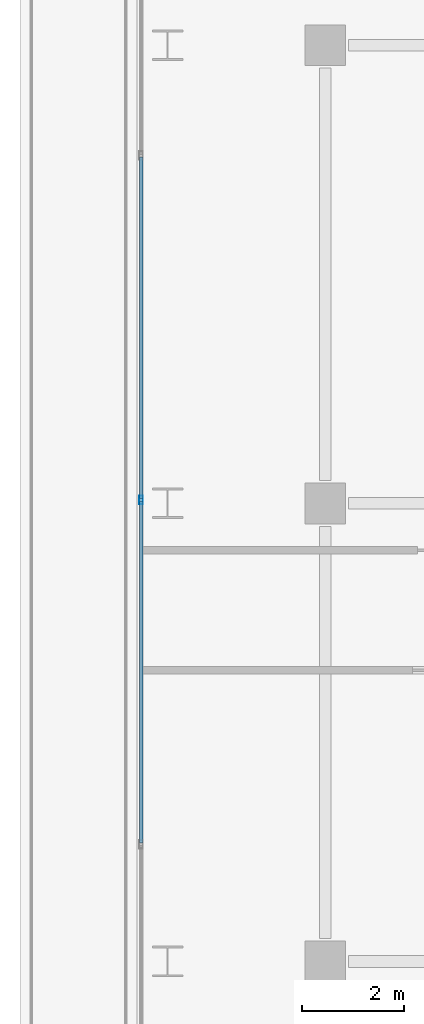
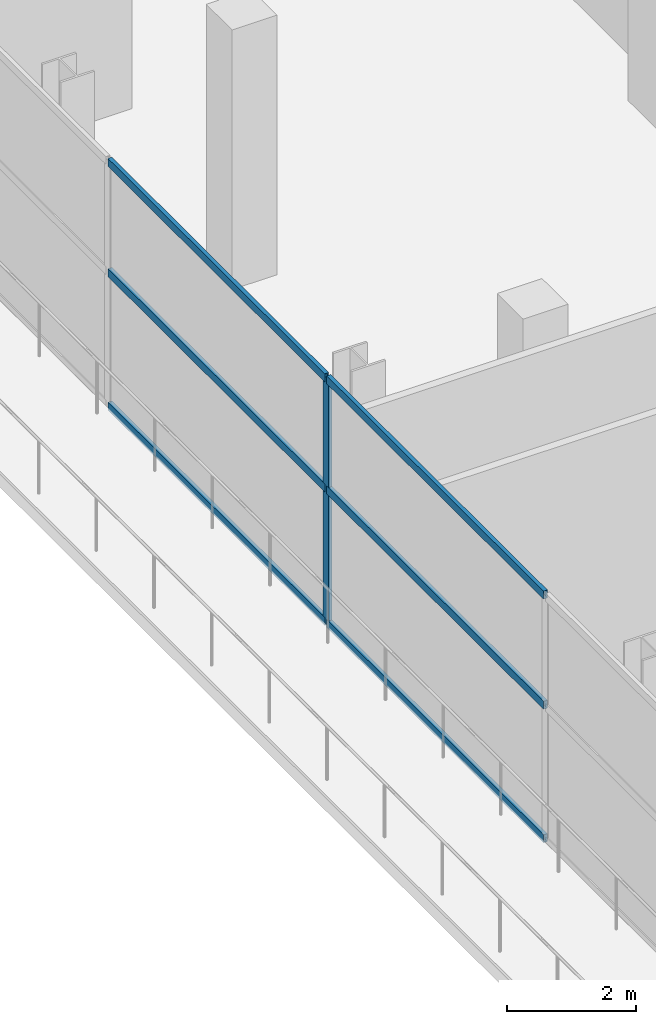
# One storey, part 16 of 31: 7 members, 1 element without a shape of its own.
"""IFC4 building model written with IfcOpenShell, lengths in metres."""

from ifc_helpers import new_model, si_unit, direction, frame, origin, origin_2d, place, context, subcontext, project, spatial, hollow_rectangle, extrude, material, layer, layer_set, material_profile, profile_set, type_object, element, aggregate, save


model = new_model("IFC4")

# Units and contexts
model_context = context("Model", 3, precision=1e-05, world=origin(), true_north=direction((0.0, 1.0)))
body_context = subcontext(model_context, "Body", "Model", "MODEL_VIEW")
ifc_project = project(units=[si_unit("LENGTHUNIT", "METRE"), si_unit("AREAUNIT", "SQUARE_METRE"), si_unit("VOLUMEUNIT", "CUBIC_METRE"), si_unit("PLANEANGLEUNIT", "RADIAN"), si_unit("MASSUNIT", "GRAM", prefix="KILO")], contexts=[model_context])

# Site, building, storey
site_placement = place(None, origin())
site = spatial("IfcSite", under=ifc_project, at=site_placement, CompositionType="ELEMENT")
building_placement = place(site_placement, origin())
building = spatial("IfcBuilding", under=site, at=building_placement, Name="Maruvema Waterfront Hotel and Observation Tower", CompositionType="ELEMENT")
storey_placement = place(building_placement, frame((0.0, 0.0, 122.5)))
storey = spatial("IfcBuildingStorey", under=building, at=storey_placement, Name="L29", CompositionType="ELEMENT", Elevation=122.5)

# Curtain wall, members
ifc_material_1 = material(Name="Anodised bronze aluminium and solar-control low-E IGU", Category="aluminium")
ifc_layer = layer(ifc_material_1, 0.159912109375, Name="Zone 2 Amber Inner Thermal Curtain Wall System CW-03")
ifc_layer_set = layer_set([ifc_layer], Name="Anodised bronze aluminium and solar-control low-E IGU")
curtain_wall_type = type_object("IfcCurtainWallType", Name="Zone 2 Amber Inner Thermal Curtain Wall System CW-03", PredefinedType="USERDEFINED", material=ifc_layer_set)
curtain_wall_placement = place(storey_placement, origin())
curtain_wall = element("IfcCurtainWall", 1, at=curtain_wall_placement, inside=storey, type_object=curtain_wall_type, Name="L29 Curtain Wall CW-L29-W", ObjectType="UNITISED CURTAIN WALL", PredefinedType="USERDEFINED")
ifc_material_2 = material(Name="Anodised architectural bronze aluminium", Category="aluminium")
ifc_material_profile_1 = material_profile(ifc_material_2, hollow_rectangle(XDim=0.070068359375, YDim=0.14990234375, WallThickness=0.00390625, at=origin_2d()), Name="ALU-T70x150")
ifc_profile_set_1 = profile_set([ifc_material_profile_1], Name="Anodised architectural bronze aluminium")
member_type_1 = type_object("IfcMemberType", Name="Curtain Wall Horizontal Transom ALU-T70x150", PredefinedType="USERDEFINED", material=ifc_profile_set_1)
member_1_placement = place(storey_placement, frame((13.179931640625, 42.80322265625, 0.030029296875), z_axis=(0.0, -1.0, 0.0), x_axis=(1.0, 0.0, 0.0)))
member_1 = element("IfcMember", 2, at=member_1_placement, type_object=member_type_1, Name="CW-03 transom 2.1", ObjectType="TRANSOM", PredefinedType="USERDEFINED", context=body_context, shape_type="SweptSolid", body=[
    extrude(hollow_rectangle(XDim=0.070068359375, YDim=0.14990234375, WallThickness=0.00390625, at=origin_2d()), origin(), (0.0, 0.0, 1.0), 6.70654296875),
])
member_2_placement = place(storey_placement, frame((13.179931640625, 42.80322265625, 2.550048828125), z_axis=(0.0, -1.0, 0.0), x_axis=(1.0, 0.0, 0.0)))
member_2 = element("IfcMember", 3, at=member_2_placement, type_object=member_type_1, Name="CW-03 transom 2.2", ObjectType="TRANSOM", PredefinedType="USERDEFINED", context=body_context, shape_type="SweptSolid", body=[
    extrude(hollow_rectangle(XDim=0.070068359375, YDim=0.14990234375, WallThickness=0.00390625, at=origin_2d()), origin(), (0.0, 0.0, 1.0), 6.70654296875),
])
member_3_placement = place(storey_placement, frame((13.179931640625, 42.80322265625, 4.6298828125), z_axis=(0.0, -1.0, 0.0), x_axis=(1.0, 0.0, 0.0)))
member_3 = element("IfcMember", 4, at=member_3_placement, type_object=member_type_1, Name="CW-03 transom 2.3", ObjectType="TRANSOM", PredefinedType="USERDEFINED", context=body_context, shape_type="SweptSolid", body=[
    extrude(hollow_rectangle(XDim=0.070068359375, YDim=0.14990234375, WallThickness=0.00390625, at=origin_2d()), origin(), (0.0, 0.0, 1.0), 6.70654296875),
])
member_4_placement = place(storey_placement, frame((13.179931640625, 36.03662109375, 0.030029296875), z_axis=(0.0, -1.0, 0.0), x_axis=(1.0, 0.0, 0.0)))
member_4 = element("IfcMember", 5, at=member_4_placement, type_object=member_type_1, Name="CW-03 transom 3.1", ObjectType="TRANSOM", PredefinedType="USERDEFINED", context=body_context, shape_type="SweptSolid", body=[
    extrude(hollow_rectangle(XDim=0.070068359375, YDim=0.14990234375, WallThickness=0.00390625, at=origin_2d()), origin(), (0.0, 0.0, 1.0), 6.70654296875),
])
member_5_placement = place(storey_placement, frame((13.179931640625, 36.03662109375, 2.550048828125), z_axis=(0.0, -1.0, 0.0), x_axis=(1.0, 0.0, 0.0)))
member_5 = element("IfcMember", 6, at=member_5_placement, type_object=member_type_1, Name="CW-03 transom 3.2", ObjectType="TRANSOM", PredefinedType="USERDEFINED", context=body_context, shape_type="SweptSolid", body=[
    extrude(hollow_rectangle(XDim=0.070068359375, YDim=0.14990234375, WallThickness=0.00390625, at=origin_2d()), origin(), (0.0, 0.0, 1.0), 6.70654296875),
])
member_6_placement = place(storey_placement, frame((13.179931640625, 36.03662109375, 4.6298828125), z_axis=(0.0, -1.0, 0.0), x_axis=(1.0, 0.0, 0.0)))
member_6 = element("IfcMember", 7, at=member_6_placement, type_object=member_type_1, Name="CW-03 transom 3.3", ObjectType="TRANSOM", PredefinedType="USERDEFINED", context=body_context, shape_type="SweptSolid", body=[
    extrude(hollow_rectangle(XDim=0.070068359375, YDim=0.14990234375, WallThickness=0.00390625, at=origin_2d()), origin(), (0.0, 0.0, 1.0), 6.70654296875),
])
ifc_material_3 = material(Name="Anodised architectural bronze aluminium", Category="aluminium")
ifc_material_profile_2 = material_profile(ifc_material_3, hollow_rectangle(XDim=0.06494140625, YDim=0.1650390625, WallThickness=0.00390625, at=origin_2d()), Name="ALU-M65x165")
ifc_profile_set_2 = profile_set([ifc_material_profile_2], Name="Anodised architectural bronze aluminium")
member_type_2 = type_object("IfcMemberType", Name="Curtain Wall Primary Mullion ALU-M65x165", PredefinedType="MULLION", material=ifc_profile_set_2)
member_7_placement = place(storey_placement, frame((13.179931640625, 36.066650390625, 0.0), z_axis=(0.0, 0.0, 1.0), x_axis=(1.0, 0.0, 0.0)))
member_7 = element("IfcMember", 8, at=member_7_placement, type_object=member_type_2, Name="CW-03 mullion 3", PredefinedType="MULLION", context=body_context, shape_type="SweptSolid", body=[
    extrude(hollow_rectangle(XDim=0.06494140625, YDim=0.1650390625, WallThickness=0.00390625, at=origin_2d()), origin(), (0.0, 0.0, 1.0), 4.659912109375),
])
aggregate(curtain_wall, [member_7, member_1, member_2, member_3, member_4, member_5, member_6])

save(model, "model.ifc")
